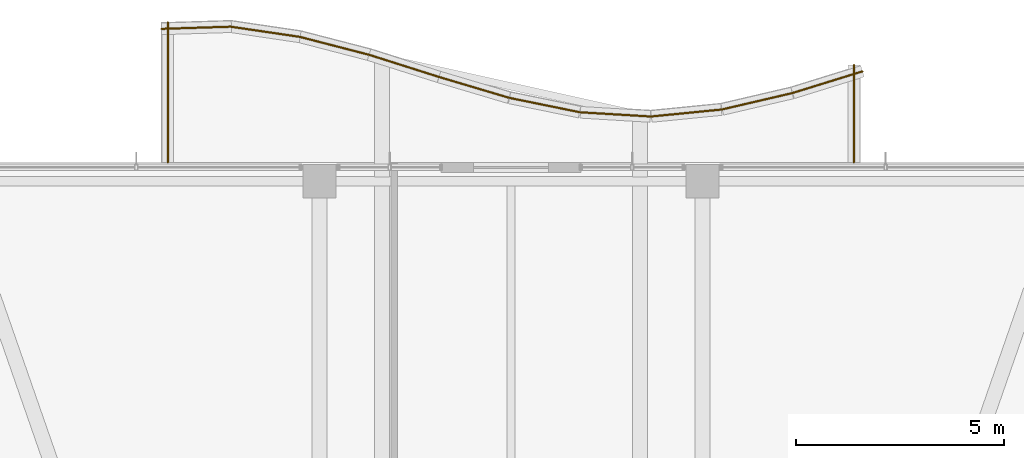
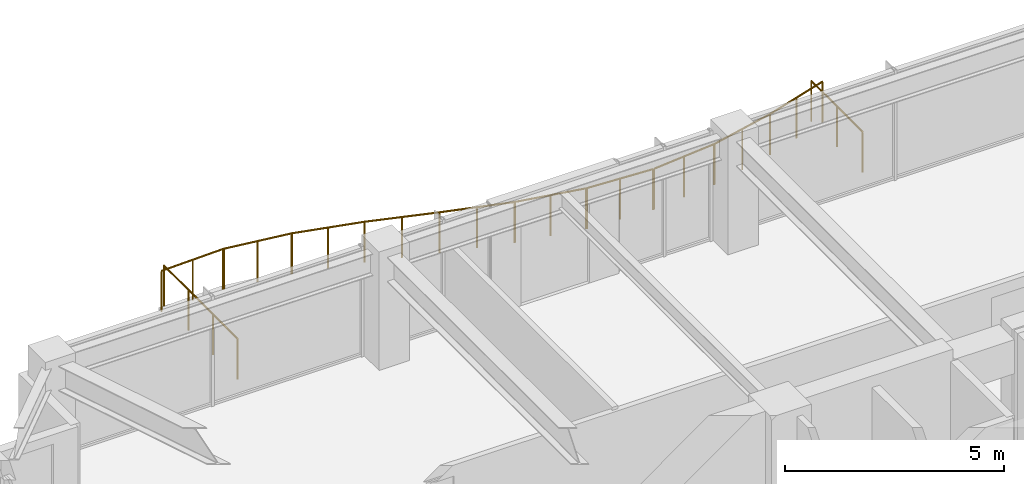
# One storey, part 36 of 36: 12 railings.
"""IFC4 building model written with IfcOpenShell, lengths in metres."""

from ifc_helpers import new_model, si_unit, direction, frame, origin, origin_2d, place, context, subcontext, project, spatial, circle, extrude, material, type_object, element, save


model = new_model("IFC4")

# Units and contexts
model_context = context("Model", 3, precision=1e-05, world=origin(), true_north=direction((0.0, 1.0)))
body_context = subcontext(model_context, "Body", "Model", "MODEL_VIEW")
ifc_project = project(units=[si_unit("LENGTHUNIT", "METRE"), si_unit("AREAUNIT", "SQUARE_METRE"), si_unit("VOLUMEUNIT", "CUBIC_METRE"), si_unit("PLANEANGLEUNIT", "RADIAN"), si_unit("MASSUNIT", "GRAM", prefix="KILO")], contexts=[model_context])

# Site, building, storey
site_placement = place(None, origin())
site = spatial("IfcSite", under=ifc_project, at=site_placement, CompositionType="ELEMENT")
building_placement = place(site_placement, origin())
building = spatial("IfcBuilding", under=site, at=building_placement, Name="Kolvaren Belvedere", CompositionType="ELEMENT")
storey_placement = place(building_placement, frame((0.0, 0.0, 199.800048828125)))
storey = spatial("IfcBuildingStorey", under=building, at=storey_placement, Name="L58", CompositionType="ELEMENT", Elevation=199.800048828125)

# Railings
ifc_material = material(Name="Anodised pale-metal aluminium & laminated glass guard", Category="aluminium")
railing_type = type_object("IfcRailingType", Name="RL-GUARD-1150", PredefinedType="GUARDRAIL", material=ifc_material)
railing_1_placement = place(storey_placement, frame((8.239990234375, 20.39990234375, 0.3798828125)))
element("IfcRailing", 1, at=railing_1_placement, inside=storey, type_object=railing_type, Name="L58 Exterior Deck Safety Guard BAL-N-11", PredefinedType="GUARDRAIL", context=body_context, shape_type="SweptSolid", body=[
    extrude(circle(Radius=0.02392578125, at=origin_2d()), frame((0.0, 0.0, 1.1259765625), z_axis=(0.0, 1.0, 0.0), x_axis=(-1.0, 0.0, 0.0)), (0.0, 0.0, 1.0), 2.340087890625),
    extrude(circle(Radius=0.02099609375, at=origin_2d()), origin(), (0.0, 0.0, 1.0), 1.101806640625),
    extrude(circle(Radius=0.02099609375, at=origin_2d()), frame((0.0, 1.169921875, 0.0)), (0.0, 0.0, 1.0), 1.101806640625),
    extrude(circle(Radius=0.02099609375, at=origin_2d()), frame((0.0, 2.340087890625, 0.0)), (0.0, 0.0, 1.0), 1.101806640625),
])
railing_2_placement = place(storey_placement, frame((8.447265625, 22.587158203125, 0.3798828125)))
element("IfcRailing", 2, at=railing_2_placement, inside=storey, type_object=railing_type, Name="L58 Exterior Deck Safety Guard BAL-N-12", PredefinedType="GUARDRAIL", context=body_context, shape_type="SweptSolid", body=[
    extrude(circle(Radius=0.02392578125, at=origin_2d()), frame((0.0, 0.0, 1.1259765625), z_axis=(-0.95524013163, -0.295831524561, 0.0), x_axis=(0.295831524561, -0.95524013163, 0.0)), (0.0, 0.0, 1.0), 1.758544921875),
    extrude(circle(Radius=0.02099609375, at=origin_2d()), origin(), (0.0, 0.0, 1.0), 1.101806640625),
    extrude(circle(Radius=0.02099609375, at=origin_2d()), frame((-0.83984375, -0.26025390625, 0.0)), (0.0, 0.0, 1.0), 1.101806640625),
    extrude(circle(Radius=0.02099609375, at=origin_2d()), frame((-1.679931640625, -0.520263671875, 0.0)), (0.0, 0.0, 1.0), 1.101806640625),
])
railing_3_placement = place(storey_placement, frame((6.75634765625, 22.06396484375, 0.3798828125)))
element("IfcRailing", 3, at=railing_3_placement, inside=storey, type_object=railing_type, Name="L58 Exterior Deck Safety Guard BAL-N-13", PredefinedType="GUARDRAIL", context=body_context, shape_type="SweptSolid", body=[
    extrude(circle(Radius=0.02392578125, at=origin_2d()), frame((0.0, 0.0, 1.1259765625), z_axis=(-0.973890253884, -0.227019323824, 0.0), x_axis=(0.227019323824, -0.973890253884, 0.0)), (0.0, 0.0, 1.0), 1.724853515625),
    extrude(circle(Radius=0.02099609375, at=origin_2d()), origin(), (0.0, 0.0, 1.0), 1.101806640625),
    extrude(circle(Radius=0.02099609375, at=origin_2d()), frame((-0.83984375, -0.19580078125, 0.0)), (0.0, 0.0, 1.0), 1.101806640625),
    extrude(circle(Radius=0.02099609375, at=origin_2d()), frame((-1.679931640625, -0.3916015625, 0.0)), (0.0, 0.0, 1.0), 1.101806640625),
])
railing_4_placement = place(storey_placement, frame((5.0556640625, 21.6689453125, 0.3798828125)))
element("IfcRailing", 4, at=railing_4_placement, inside=storey, type_object=railing_type, Name="L58 Exterior Deck Safety Guard BAL-N-14", PredefinedType="GUARDRAIL", context=body_context, shape_type="SweptSolid", body=[
    extrude(circle(Radius=0.02392578125, at=origin_2d()), frame((0.0, 0.0, 1.1259765625), z_axis=(-0.995152499202, -0.098343801694, 0.0), x_axis=(0.098343801694, -0.995152499202, 0.0)), (0.0, 0.0, 1.0), 1.688232421875),
    extrude(circle(Radius=0.02099609375, at=origin_2d()), origin(), (0.0, 0.0, 1.0), 1.101806640625),
    extrude(circle(Radius=0.02099609375, at=origin_2d()), frame((-0.83984375, -0.0830078125, 0.0)), (0.0, 0.0, 1.0), 1.101806640625),
    extrude(circle(Radius=0.02099609375, at=origin_2d()), frame((-1.679931640625, -0.166015625, 0.0)), (0.0, 0.0, 1.0), 1.101806640625),
])
railing_5_placement = place(storey_placement, frame((3.350341796875, 21.50244140625, 0.3798828125)))
element("IfcRailing", 5, at=railing_5_placement, inside=storey, type_object=railing_type, Name="L58 Exterior Deck Safety Guard BAL-N-15", PredefinedType="GUARDRAIL", context=body_context, shape_type="SweptSolid", body=[
    extrude(circle(Radius=0.02392578125, at=origin_2d()), frame((0.0, 0.0, 1.1259765625), z_axis=(-0.998212296378, 0.059767979379, 0.0), x_axis=(-0.059767979379, -0.998212296378, 0.0)), (0.0, 0.0, 1.0), 1.682861328125),
    extrude(circle(Radius=0.02099609375, at=origin_2d()), origin(), (0.0, 0.0, 1.0), 1.101806640625),
    extrude(circle(Radius=0.02099609375, at=origin_2d()), frame((-0.83984375, 0.05029296875, 0.0)), (0.0, 0.0, 1.0), 1.101806640625),
    extrude(circle(Radius=0.02099609375, at=origin_2d()), frame((-1.679931640625, 0.1005859375, 0.0)), (0.0, 0.0, 1.0), 1.101806640625),
])
railing_6_placement = place(storey_placement, frame((1.64794921875, 21.60595703125, 0.3798828125)))
element("IfcRailing", 6, at=railing_6_placement, inside=storey, type_object=railing_type, Name="L58 Exterior Deck Safety Guard BAL-N-16", PredefinedType="GUARDRAIL", context=body_context, shape_type="SweptSolid", body=[
    extrude(circle(Radius=0.02392578125, at=origin_2d()), frame((0.0, 0.0, 1.1259765625), z_axis=(-0.979839912937, 0.199784246163, 0.0), x_axis=(-0.199784246163, -0.979839912937, 0.0)), (0.0, 0.0, 1.0), 1.714599609375),
    extrude(circle(Radius=0.02099609375, at=origin_2d()), origin(), (0.0, 0.0, 1.0), 1.101806640625),
    extrude(circle(Radius=0.02099609375, at=origin_2d()), frame((-0.83984375, 0.17138671875, 0.0)), (0.0, 0.0, 1.0), 1.101806640625),
    extrude(circle(Radius=0.02099609375, at=origin_2d()), frame((-1.679931640625, 0.342529296875, 0.0)), (0.0, 0.0, 1.0), 1.101806640625),
])
railing_7_placement = place(storey_placement, frame((-0.045654296875, 21.951904296875, 0.3798828125)))
element("IfcRailing", 7, at=railing_7_placement, inside=storey, type_object=railing_type, Name="L58 Exterior Deck Safety Guard BAL-N-17", PredefinedType="GUARDRAIL", context=body_context, shape_type="SweptSolid", body=[
    extrude(circle(Radius=0.02392578125, at=origin_2d()), frame((0.0, 0.0, 1.1259765625), z_axis=(-0.95856309129, 0.284880325779, 0.0), x_axis=(-0.284880325779, -0.95856309129, 0.0)), (0.0, 0.0, 1.0), 1.75244140625),
    extrude(circle(Radius=0.02099609375, at=origin_2d()), origin(), (0.0, 0.0, 1.0), 1.101806640625),
    extrude(circle(Radius=0.02099609375, at=origin_2d()), frame((-0.83984375, 0.24951171875, 0.0)), (0.0, 0.0, 1.0), 1.101806640625),
    extrude(circle(Radius=0.02099609375, at=origin_2d()), frame((-1.679931640625, 0.499267578125, 0.0)), (0.0, 0.0, 1.0), 1.101806640625),
])
railing_8_placement = place(storey_placement, frame((-1.728515625, 22.4521484375, 0.3798828125)))
element("IfcRailing", 8, at=railing_8_placement, inside=storey, type_object=railing_type, Name="L58 Exterior Deck Safety Guard BAL-N-18", PredefinedType="GUARDRAIL", context=body_context, shape_type="SweptSolid", body=[
    extrude(circle(Radius=0.02392578125, at=origin_2d()), frame((0.0, 0.0, 1.1259765625), z_axis=(-0.953181954832, 0.302397356111, 0.0), x_axis=(-0.302397356111, -0.953181954832, 0.0)), (0.0, 0.0, 1.0), 1.762451171875),
    extrude(circle(Radius=0.02099609375, at=origin_2d()), origin(), (0.0, 0.0, 1.0), 1.101806640625),
    extrude(circle(Radius=0.02099609375, at=origin_2d()), frame((-0.83984375, 0.2666015625, 0.0)), (0.0, 0.0, 1.0), 1.101806640625),
    extrude(circle(Radius=0.02099609375, at=origin_2d()), frame((-1.679931640625, 0.532958984375, 0.0)), (0.0, 0.0, 1.0), 1.101806640625),
])
railing_9_placement = place(storey_placement, frame((-3.400146484375, 22.982666015625, 0.3798828125)))
element("IfcRailing", 9, at=railing_9_placement, inside=storey, type_object=railing_type, Name="L58 Exterior Deck Safety Guard BAL-N-19", PredefinedType="GUARDRAIL", context=body_context, shape_type="SweptSolid", body=[
    extrude(circle(Radius=0.02392578125, at=origin_2d()), frame((0.0, 0.0, 1.1259765625), z_axis=(-0.968132209145, 0.250439664624, 0.0), x_axis=(-0.250439664624, -0.968132209145, 0.0)), (0.0, 0.0, 1.0), 1.7353515625),
    extrude(circle(Radius=0.02099609375, at=origin_2d()), origin(), (0.0, 0.0, 1.0), 1.101806640625),
    extrude(circle(Radius=0.02099609375, at=origin_2d()), frame((-0.83984375, 0.21728515625, 0.0)), (0.0, 0.0, 1.0), 1.101806640625),
    extrude(circle(Radius=0.02099609375, at=origin_2d()), frame((-1.679931640625, 0.4345703125, 0.0)), (0.0, 0.0, 1.0), 1.101806640625),
])
railing_10_placement = place(storey_placement, frame((-5.063232421875, 23.413818359375, 0.3798828125)))
element("IfcRailing", 10, at=railing_10_placement, inside=storey, type_object=railing_type, Name="L58 Exterior Deck Safety Guard BAL-N-20", PredefinedType="GUARDRAIL", context=body_context, shape_type="SweptSolid", body=[
    extrude(circle(Radius=0.02392578125, at=origin_2d()), frame((0.0, 0.0, 1.1259765625), z_axis=(-0.98929818871, 0.145907826437, 0.0), x_axis=(-0.145907826437, -0.98929818871, 0.0)), (0.0, 0.0, 1.0), 1.6982421875),
    extrude(circle(Radius=0.02099609375, at=origin_2d()), origin(), (0.0, 0.0, 1.0), 1.101806640625),
    extrude(circle(Radius=0.02099609375, at=origin_2d()), frame((-0.840087890625, 0.1240234375, 0.0)), (0.0, 0.0, 1.0), 1.101806640625),
    extrude(circle(Radius=0.02099609375, at=origin_2d()), frame((-1.68017578125, 0.247802734375, 0.0)), (0.0, 0.0, 1.0), 1.101806640625),
])
railing_11_placement = place(storey_placement, frame((-6.715087890625, 23.66015625, 0.3798828125)))
element("IfcRailing", 11, at=railing_11_placement, inside=storey, type_object=railing_type, Name="L58 Exterior Deck Safety Guard BAL-N-21", PredefinedType="GUARDRAIL", context=body_context, shape_type="SweptSolid", body=[
    extrude(circle(Radius=0.02392578125, at=origin_2d()), frame((0.0, 0.0, 1.1259765625), z_axis=(-0.999503107358, -0.031520443874, 0.0), x_axis=(0.031520443874, -0.999503107358, 0.0)), (0.0, 0.0, 1.0), 1.6806640625),
    extrude(circle(Radius=0.02099609375, at=origin_2d()), origin(), (0.0, 0.0, 1.0), 1.101806640625),
    extrude(circle(Radius=0.02099609375, at=origin_2d()), frame((-0.83984375, -0.0263671875, 0.0)), (0.0, 0.0, 1.0), 1.101806640625),
    extrude(circle(Radius=0.02099609375, at=origin_2d()), frame((-1.679931640625, -0.052978515625, 0.0)), (0.0, 0.0, 1.0), 1.101806640625),
])
railing_12_placement = place(storey_placement, frame((-8.239990234375, 23.76708984375, 0.3798828125)))
element("IfcRailing", 12, at=railing_12_placement, inside=storey, type_object=railing_type, Name="L58 Exterior Deck Safety Guard BAL-N-22", PredefinedType="GUARDRAIL", context=body_context, shape_type="SweptSolid", body=[
    extrude(circle(Radius=0.02392578125, at=origin_2d()), frame((0.0, 0.0, 1.1259765625), z_axis=(0.0, -1.0, 0.0), x_axis=(1.0, 0.0, 0.0)), (0.0, 0.0, 1.0), 3.3671875),
    extrude(circle(Radius=0.02099609375, at=origin_2d()), origin(), (0.0, 0.0, 1.0), 1.101806640625),
    extrude(circle(Radius=0.02099609375, at=origin_2d()), frame((0.0, -1.122314453125, 0.0)), (0.0, 0.0, 1.0), 1.101806640625),
    extrude(circle(Radius=0.02099609375, at=origin_2d()), frame((0.0, -2.244873046875, 0.0)), (0.0, 0.0, 1.0), 1.101806640625),
    extrude(circle(Radius=0.02099609375, at=origin_2d()), frame((0.0, -3.3671875, 0.0)), (0.0, 0.0, 1.0), 1.101806640625),
])

save(model, "model.ifc")
